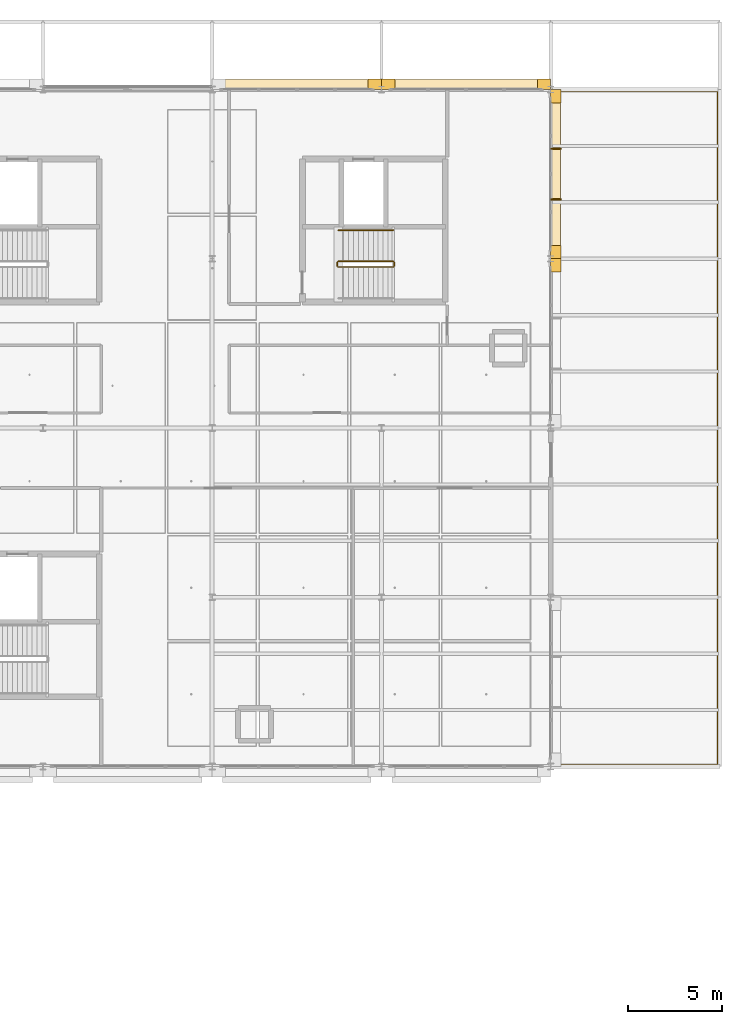
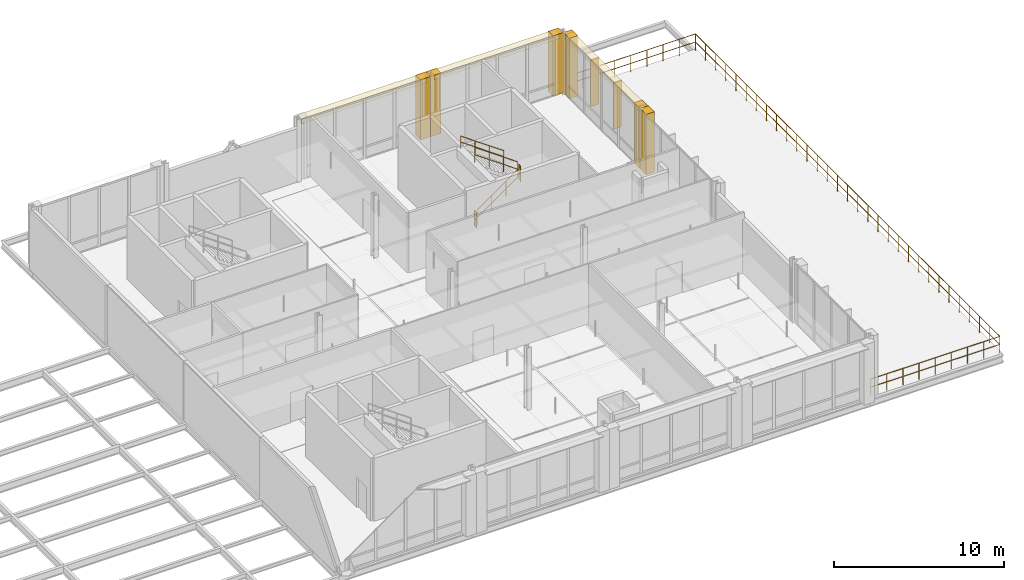
# One storey, part 66 of 66: 9 coverings, 6 railings, 2 shading devices.
"""IFC4 building model written with IfcOpenShell, lengths in metres."""

from ifc_helpers import new_model, si_unit, direction, frame, origin, origin_2d, place, context, subcontext, project, spatial, rectangle, circle, extrude, material, layer, layer_set, type_object, element, save


model = new_model("IFC4")

# Units and contexts
model_context = context("Model", 3, precision=1e-05, world=origin(), true_north=direction((0.0, 1.0)))
body_context = subcontext(model_context, "Body", "Model", "MODEL_VIEW")
ifc_project = project(units=[si_unit("LENGTHUNIT", "METRE"), si_unit("AREAUNIT", "SQUARE_METRE"), si_unit("VOLUMEUNIT", "CUBIC_METRE"), si_unit("PLANEANGLEUNIT", "RADIAN"), si_unit("MASSUNIT", "GRAM", prefix="KILO"), si_unit("THERMODYNAMICTEMPERATUREUNIT", "KELVIN"), si_unit("POWERUNIT", "WATT")], contexts=[model_context])

# Site, building, storey
site_placement = place(None, origin())
site = spatial("IfcSite", under=ifc_project, at=site_placement, CompositionType="ELEMENT")
building_placement = place(site_placement, origin())
building = spatial("IfcBuilding", under=site, at=building_placement, Name="Tallowbark Science Centre", CompositionType="ELEMENT")
storey_placement = place(building_placement, frame((0.0, 0.0, 18.89990234375)))
storey = spatial("IfcBuildingStorey", under=building, at=storey_placement, Name="L04", CompositionType="ELEMENT", Elevation=18.89990234375)

# Coverings
ifc_material_1 = material(Name="White Architectural Precast Concrete Grade N40 (40 MPa)", Category="concrete")
ifc_layer_1 = layer(ifc_material_1, 0.1201171875)
ifc_layer_set_1 = layer_set([ifc_layer_1], Name="White Architectural Precast Concrete Grade N40 (40 MPa)")
covering_type_1 = type_object("IfcCoveringType", Name="COV-PRC-CLAD", PredefinedType="CLADDING", material=ifc_layer_set_1)
for number, where, z_axis, x_axis, name in (
    (1, (139.14501953125, 108.280029296875, 0.0), (0.0, 0.0, 1.0), (-1.0, 0.0, 0.0), "Postmodern Deep Precast Pier CW-L04-194-1"),
    (2, (148.14501953125, 108.280029296875, 0.0), (0.0, 0.0, 1.0), (-1.0, 0.0, 0.0), "Postmodern Deep Precast Pier CW-L04-196-1"),
    (3, (139.85498046875, 108.280029296875, 0.0), (0.0, 0.0, 1.0), (-1.0, 0.0, 0.0), "Postmodern Deep Precast Pier CW-L04-196-2"),
    (4, (148.780029296875, 98.64501953125, 0.0), (0.0, 0.0, 1.0), (0.0, 1.0, 0.0), "Postmodern Deep Precast Pier CW-L04-198-2"),
    (5, (148.780029296875, 99.35498046875, 0.0), (0.0, 0.0, 1.0), (0.0, 1.0, 0.0), "Postmodern Deep Precast Pier CW-L04-199-1"),
    (6, (148.780029296875, 107.64501953125, 0.0), (0.0, 0.0, 1.0), (0.0, 1.0, 0.0), "Postmodern Deep Precast Pier CW-L04-199-2"),
):
    element("IfcCovering", number, at=place(storey_placement, frame(where, z_axis=z_axis, x_axis=x_axis)), inside=storey, type_object=covering_type_1, Name=name, PredefinedType="CLADDING", context=body_context, shape_type="SweptSolid", body=[
        extrude(rectangle(XDim=0.7099609375, YDim=0.56005859375, at=origin_2d()), origin(), (0.0, 0.0, 1.0), 4.320068359375),
    ])
ifc_material_2 = material(Name="Vitrified Ochre Terracotta Architectural Rainscreen", Category="masonry")
ifc_layer_2 = layer(ifc_material_2, 0.0380859375)
ifc_layer_set_2 = layer_set([ifc_layer_2], Name="Vitrified Ochre Terracotta Architectural Rainscreen")
covering_type_2 = type_object("IfcCoveringType", Name="COV-TER-CLAD", PredefinedType="CLADDING", material=ifc_layer_set_2)
for number, where, z_axis, x_axis, name in (
    (7, (135.0, 108.260009765625, 3.97021484375), (0.0, 0.0, 1.0), (-1.0, 0.0, 0.0), "Postmodern Terracotta Cornice Band CW-L04-194"),
    (8, (144.0, 108.260009765625, 3.97021484375), (0.0, 0.0, 1.0), (-1.0, 0.0, 0.0), "Postmodern Terracotta Cornice Band CW-L04-196"),
    (9, (148.760009765625, 103.5, 3.97021484375), (0.0, 0.0, 1.0), (0.0, 1.0, 0.0), "Postmodern Terracotta Cornice Band CW-L04-199"),
):
    element("IfcCovering", number, at=place(storey_placement, frame(where, z_axis=z_axis, x_axis=x_axis)), inside=storey, type_object=covering_type_2, Name=name, PredefinedType="CLADDING", context=body_context, shape_type="SweptSolid", body=[
        extrude(rectangle(XDim=8.5, YDim=0.52001953125, at=origin_2d()), origin(), (0.0, 0.0, 1.0), 0.340087890625),
    ])

# Railings
ifc_material_3 = material(Name="Galvanised Painted Steel and Laminated Glass Balustrade", Category="steel")
ifc_layer_3 = layer(ifc_material_3, 0.070068359375)
ifc_layer_set_3 = layer_set([ifc_layer_3], Name="Galvanised Painted Steel and Laminated Glass Balustrade")
railing_type_1 = type_object("IfcRailingType", Name="RLG-BAL-1150", PredefinedType="BALUSTRADE", material=ifc_layer_set_3)
railing_1_placement = place(storey_placement, frame((137.2099609375, 98.56005859375, 0.1875)))
element("IfcRailing", 10, at=railing_1_placement, inside=storey, type_object=railing_type_1, Name="L04 ST-04 stair guard 1", PredefinedType="BALUSTRADE", context=body_context, shape_type="SweptSolid", body=[
    extrude(circle(Radius=0.02392578125, at=origin_2d()), frame((0.0, 0.0, 1.076171875), z_axis=(0.816330724661, 0.0, 0.577584753931), x_axis=(0.0, 1.0, 0.0)), (0.0, 0.0, 1.0), 3.57080078125),
    extrude(circle(Radius=0.02392578125, at=origin_2d()), frame((0.0, 0.0, 0.550048828125), z_axis=(0.816330724661, 0.0, 0.577584753931), x_axis=(0.0, 1.0, 0.0)), (0.0, 0.0, 1.0), 3.57080078125),
    extrude(circle(Radius=0.02099609375, at=origin_2d()), origin(), (0.0, 0.0, 1.0), 1.052001953125),
    extrude(circle(Radius=0.02099609375, at=origin_2d()), frame((0.9716796875, 0.0, 0.6875)), (0.0, 0.0, 1.0), 1.052001953125),
    extrude(circle(Radius=0.02099609375, at=origin_2d()), frame((1.943359375, 0.0, 1.375)), (0.0, 0.0, 1.0), 1.052001953125),
    extrude(circle(Radius=0.02099609375, at=origin_2d()), frame((2.9150390625, 0.0, 2.0625)), (0.0, 0.0, 1.0), 1.052001953125),
])
railing_2_placement = place(storey_placement, frame((140.175048828125, 98.610107421875, 2.25)))
element("IfcRailing", 11, at=railing_2_placement, inside=storey, type_object=railing_type_1, Name="L04 ST-04 stair guard 2", PredefinedType="BALUSTRADE", context=body_context, shape_type="SweptSolid", body=[
    extrude(circle(Radius=0.02392578125, at=origin_2d()), frame((0.0, 0.0, 1.076171875), z_axis=(0.0, 1.0, 0.0), x_axis=(-1.0, 0.0, 0.0)), (0.0, 0.0, 1.0), 0.199951171875),
    extrude(circle(Radius=0.02392578125, at=origin_2d()), frame((0.0, 0.0, 0.550048828125), z_axis=(0.0, 1.0, 0.0), x_axis=(-1.0, 0.0, 0.0)), (0.0, 0.0, 1.0), 0.199951171875),
    extrude(circle(Radius=0.02099609375, at=origin_2d()), origin(), (0.0, 0.0, 1.0), 1.052001953125),
    extrude(circle(Radius=0.02099609375, at=origin_2d()), frame((0.0, 0.199951171875, 0.0)), (0.0, 0.0, 1.0), 1.052001953125),
])
railing_3_placement = place(storey_placement, frame((140.125, 98.860107421875, 2.4375)))
element("IfcRailing", 12, at=railing_3_placement, inside=storey, type_object=railing_type_1, Name="L04 ST-04 stair guard 3", PredefinedType="BALUSTRADE", context=body_context, shape_type="SweptSolid", body=[
    extrude(circle(Radius=0.02392578125, at=origin_2d()), frame((0.0, 0.0, 1.076171875), z_axis=(-0.816330724661, 0.0, 0.577584753931), x_axis=(0.0, -1.0, 0.0)), (0.0, 0.0, 1.0), 3.57080078125),
    extrude(circle(Radius=0.02392578125, at=origin_2d()), frame((0.0, 0.0, 0.550048828125), z_axis=(-0.816330724661, 0.0, 0.577584753931), x_axis=(0.0, -1.0, 0.0)), (0.0, 0.0, 1.0), 3.57080078125),
    extrude(circle(Radius=0.02099609375, at=origin_2d()), origin(), (0.0, 0.0, 1.0), 1.052001953125),
    extrude(circle(Radius=0.02099609375, at=origin_2d()), frame((-0.9716796875, 0.0, 0.6875)), (0.0, 0.0, 1.0), 1.052001953125),
    extrude(circle(Radius=0.02099609375, at=origin_2d()), frame((-1.943359375, 0.0, 1.375)), (0.0, 0.0, 1.0), 1.052001953125),
    extrude(circle(Radius=0.02099609375, at=origin_2d()), frame((-2.9150390625, 0.0, 2.0625)), (0.0, 0.0, 1.0), 1.052001953125),
])
railing_4_placement = place(storey_placement, frame((137.159912109375, 98.610107421875, 0.0)))
element("IfcRailing", 13, at=railing_4_placement, inside=storey, type_object=railing_type_1, Name="L04 ST-04 stair guard 4", PredefinedType="BALUSTRADE", context=body_context, shape_type="SweptSolid", body=[
    extrude(circle(Radius=0.02392578125, at=origin_2d()), frame((0.0, 0.0, 1.076171875), z_axis=(0.0, 1.0, 0.0), x_axis=(-1.0, 0.0, 0.0)), (0.0, 0.0, 1.0), 0.199951171875),
    extrude(circle(Radius=0.02392578125, at=origin_2d()), frame((0.0, 0.0, 0.550048828125), z_axis=(0.0, 1.0, 0.0), x_axis=(-1.0, 0.0, 0.0)), (0.0, 0.0, 1.0), 0.199951171875),
    extrude(circle(Radius=0.02099609375, at=origin_2d()), origin(), (0.0, 0.0, 1.0), 1.052001953125),
    extrude(circle(Radius=0.02099609375, at=origin_2d()), frame((0.0, 0.199951171875, 0.0)), (0.0, 0.0, 1.0), 1.052001953125),
])
ifc_material_4 = material(Name="Brushed Grade 316 Stainless Steel Handrail", Category="steel")
ifc_layer_4 = layer(ifc_material_4, 0.050048828125)
ifc_layer_set_4 = layer_set([ifc_layer_4], Name="Brushed Grade 316 Stainless Steel Handrail")
railing_type_2 = type_object("IfcRailingType", Name="RLG-HDR-950", PredefinedType="HANDRAIL", material=ifc_layer_set_4)
railing_5_placement = place(storey_placement, frame((140.125, 100.52001953125, 2.4375)))
element("IfcRailing", 14, at=railing_5_placement, inside=storey, type_object=railing_type_2, Name="L04 ST-04 stair handrail 2", PredefinedType="HANDRAIL", context=body_context, shape_type="SweptSolid", body=[
    extrude(circle(Radius=0.02392578125, at=origin_2d()), frame((0.0, 0.0, 0.8759765625), z_axis=(-0.816330724661, 0.0, 0.577584753931), x_axis=(0.0, -1.0, 0.0)), (0.0, 0.0, 1.0), 3.57080078125),
    extrude(circle(Radius=0.02392578125, at=origin_2d()), frame((0.0, 0.0, 0.449951171875), z_axis=(-0.816330724661, 0.0, 0.577584753931), x_axis=(0.0, -1.0, 0.0)), (0.0, 0.0, 1.0), 3.57080078125),
    extrude(circle(Radius=0.02099609375, at=origin_2d()), origin(), (0.0, 0.0, 1.0), 0.851806640625),
    extrude(circle(Radius=0.02099609375, at=origin_2d()), frame((-0.9716796875, 0.0, 0.6875)), (0.0, 0.0, 1.0), 0.851806640625),
    extrude(circle(Radius=0.02099609375, at=origin_2d()), frame((-1.943359375, 0.0, 1.375)), (0.0, 0.0, 1.0), 0.851806640625),
    extrude(circle(Radius=0.02099609375, at=origin_2d()), frame((-2.9150390625, 0.0, 2.0625)), (0.0, 0.0, 1.0), 0.851806640625),
])
ifc_material_5 = material(Name="Architectural Steel Post-and-Rail Terrace Guard", Category="steel")
ifc_layer_5 = layer(ifc_material_5, 0.080078125)
ifc_layer_set_5 = layer_set([ifc_layer_5], Name="Architectural Steel Post-and-Rail Terrace Guard")
railing_type_3 = type_object("IfcRailingType", Name="RLG-TER-1200", PredefinedType="GUARDRAIL", material=ifc_layer_set_5)
railing_6_placement = place(storey_placement, frame((148.6201171875, 72.1201171875, 0.0)))
element("IfcRailing", 15, at=railing_6_placement, inside=storey, type_object=railing_type_3, Name="Guardrail GD-ORG-L04", PredefinedType="GUARDRAIL", context=body_context, shape_type="SweptSolid", body=[
    extrude(circle(Radius=0.02392578125, at=origin_2d()), frame((0.0, 0.0, 1.17578125), z_axis=(1.0, 0.0, 0.0), x_axis=(0.0, 1.0, 0.0)), (0.0, 0.0, 1.0), 8.759765625),
    extrude(circle(Radius=0.02392578125, at=origin_2d()), frame((0.0, 0.0, 0.60009765625), z_axis=(1.0, 0.0, 0.0), x_axis=(0.0, 1.0, 0.0)), (0.0, 0.0, 1.0), 8.759765625),
    extrude(circle(Radius=0.02392578125, at=origin_2d()), frame((8.759765625, 0.0, 1.17578125), z_axis=(0.0, 1.0, 0.0), x_axis=(-1.0, 0.0, 0.0)), (0.0, 0.0, 1.0), 35.759765625),
    extrude(circle(Radius=0.02392578125, at=origin_2d()), frame((8.759765625, 0.0, 0.60009765625), z_axis=(0.0, 1.0, 0.0), x_axis=(-1.0, 0.0, 0.0)), (0.0, 0.0, 1.0), 35.759765625),
    extrude(circle(Radius=0.02392578125, at=origin_2d()), frame((8.759765625, 35.759765625, 1.17578125), z_axis=(-1.0, 0.0, 0.0), x_axis=(0.0, -1.0, 0.0)), (0.0, 0.0, 1.0), 8.759765625),
    extrude(circle(Radius=0.02392578125, at=origin_2d()), frame((8.759765625, 35.759765625, 0.60009765625), z_axis=(-1.0, 0.0, 0.0), x_axis=(0.0, -1.0, 0.0)), (0.0, 0.0, 1.0), 8.759765625),
    extrude(circle(Radius=0.02099609375, at=origin_2d()), origin(), (0.0, 0.0, 1.0), 1.15185546875),
    extrude(circle(Radius=0.02099609375, at=origin_2d()), frame((1.094970703125, 0.0, 0.0)), (0.0, 0.0, 1.0), 1.15185546875),
    extrude(circle(Radius=0.02099609375, at=origin_2d()), frame((2.18994140625, 0.0, 0.0)), (0.0, 0.0, 1.0), 1.15185546875),
    extrude(circle(Radius=0.02099609375, at=origin_2d()), frame((3.284912109375, 0.0, 0.0)), (0.0, 0.0, 1.0), 1.15185546875),
    extrude(circle(Radius=0.02099609375, at=origin_2d()), frame((4.3798828125, 0.0, 0.0)), (0.0, 0.0, 1.0), 1.15185546875),
    extrude(circle(Radius=0.02099609375, at=origin_2d()), frame((5.474853515625, 0.0, 0.0)), (0.0, 0.0, 1.0), 1.15185546875),
    extrude(circle(Radius=0.02099609375, at=origin_2d()), frame((6.56982421875, 0.0, 0.0)), (0.0, 0.0, 1.0), 1.15185546875),
    extrude(circle(Radius=0.02099609375, at=origin_2d()), frame((7.664794921875, 0.0, 0.0)), (0.0, 0.0, 1.0), 1.15185546875),
    extrude(circle(Radius=0.02099609375, at=origin_2d()), frame((8.759765625, 0.0, 0.0)), (0.0, 0.0, 1.0), 1.15185546875),
    extrude(circle(Radius=0.02099609375, at=origin_2d()), frame((8.759765625, 1.19189453125, 0.0)), (0.0, 0.0, 1.0), 1.15185546875),
    extrude(circle(Radius=0.02099609375, at=origin_2d()), frame((8.759765625, 2.384033203125, 0.0)), (0.0, 0.0, 1.0), 1.15185546875),
    extrude(circle(Radius=0.02099609375, at=origin_2d()), frame((8.759765625, 3.575927734375, 0.0)), (0.0, 0.0, 1.0), 1.15185546875),
    extrude(circle(Radius=0.02099609375, at=origin_2d()), frame((8.759765625, 4.76806640625, 0.0)), (0.0, 0.0, 1.0), 1.15185546875),
    extrude(circle(Radius=0.02099609375, at=origin_2d()), frame((8.759765625, 5.9599609375, 0.0)), (0.0, 0.0, 1.0), 1.15185546875),
    extrude(circle(Radius=0.02099609375, at=origin_2d()), frame((8.759765625, 7.15185546875, 0.0)), (0.0, 0.0, 1.0), 1.15185546875),
    extrude(circle(Radius=0.02099609375, at=origin_2d()), frame((8.759765625, 8.343994140625, 0.0)), (0.0, 0.0, 1.0), 1.15185546875),
    extrude(circle(Radius=0.02099609375, at=origin_2d()), frame((8.759765625, 9.535888671875, 0.0)), (0.0, 0.0, 1.0), 1.15185546875),
    extrude(circle(Radius=0.02099609375, at=origin_2d()), frame((8.759765625, 10.72802734375, 0.0)), (0.0, 0.0, 1.0), 1.15185546875),
    extrude(circle(Radius=0.02099609375, at=origin_2d()), frame((8.759765625, 11.919921875, 0.0)), (0.0, 0.0, 1.0), 1.15185546875),
    extrude(circle(Radius=0.02099609375, at=origin_2d()), frame((8.759765625, 13.11181640625, 0.0)), (0.0, 0.0, 1.0), 1.15185546875),
    extrude(circle(Radius=0.02099609375, at=origin_2d()), frame((8.759765625, 14.303955078125, 0.0)), (0.0, 0.0, 1.0), 1.15185546875),
    extrude(circle(Radius=0.02099609375, at=origin_2d()), frame((8.759765625, 15.495849609375, 0.0)), (0.0, 0.0, 1.0), 1.15185546875),
    extrude(circle(Radius=0.02099609375, at=origin_2d()), frame((8.759765625, 16.68798828125, 0.0)), (0.0, 0.0, 1.0), 1.15185546875),
    extrude(circle(Radius=0.02099609375, at=origin_2d()), frame((8.759765625, 17.8798828125, 0.0)), (0.0, 0.0, 1.0), 1.15185546875),
    extrude(circle(Radius=0.02099609375, at=origin_2d()), frame((8.759765625, 19.07177734375, 0.0)), (0.0, 0.0, 1.0), 1.15185546875),
    extrude(circle(Radius=0.02099609375, at=origin_2d()), frame((8.759765625, 20.263916015625, 0.0)), (0.0, 0.0, 1.0), 1.15185546875),
    extrude(circle(Radius=0.02099609375, at=origin_2d()), frame((8.759765625, 21.455810546875, 0.0)), (0.0, 0.0, 1.0), 1.15185546875),
    extrude(circle(Radius=0.02099609375, at=origin_2d()), frame((8.759765625, 22.64794921875, 0.0)), (0.0, 0.0, 1.0), 1.15185546875),
    extrude(circle(Radius=0.02099609375, at=origin_2d()), frame((8.759765625, 23.83984375, 0.0)), (0.0, 0.0, 1.0), 1.15185546875),
    extrude(circle(Radius=0.02099609375, at=origin_2d()), frame((8.759765625, 25.03173828125, 0.0)), (0.0, 0.0, 1.0), 1.15185546875),
    extrude(circle(Radius=0.02099609375, at=origin_2d()), frame((8.759765625, 26.223876953125, 0.0)), (0.0, 0.0, 1.0), 1.15185546875),
    extrude(circle(Radius=0.02099609375, at=origin_2d()), frame((8.759765625, 27.415771484375, 0.0)), (0.0, 0.0, 1.0), 1.15185546875),
    extrude(circle(Radius=0.02099609375, at=origin_2d()), frame((8.759765625, 28.60791015625, 0.0)), (0.0, 0.0, 1.0), 1.15185546875),
    extrude(circle(Radius=0.02099609375, at=origin_2d()), frame((8.759765625, 29.7998046875, 0.0)), (0.0, 0.0, 1.0), 1.15185546875),
    extrude(circle(Radius=0.02099609375, at=origin_2d()), frame((8.759765625, 30.99169921875, 0.0)), (0.0, 0.0, 1.0), 1.15185546875),
    extrude(circle(Radius=0.02099609375, at=origin_2d()), frame((8.759765625, 32.183837890625, 0.0)), (0.0, 0.0, 1.0), 1.15185546875),
    extrude(circle(Radius=0.02099609375, at=origin_2d()), frame((8.759765625, 33.375732421875, 0.0)), (0.0, 0.0, 1.0), 1.15185546875),
    extrude(circle(Radius=0.02099609375, at=origin_2d()), frame((8.759765625, 34.56787109375, 0.0)), (0.0, 0.0, 1.0), 1.15185546875),
    extrude(circle(Radius=0.02099609375, at=origin_2d()), frame((8.759765625, 35.759765625, 0.0)), (0.0, 0.0, 1.0), 1.15185546875),
    extrude(circle(Radius=0.02099609375, at=origin_2d()), frame((7.664794921875, 35.759765625, 0.0)), (0.0, 0.0, 1.0), 1.15185546875),
    extrude(circle(Radius=0.02099609375, at=origin_2d()), frame((6.56982421875, 35.759765625, 0.0)), (0.0, 0.0, 1.0), 1.15185546875),
    extrude(circle(Radius=0.02099609375, at=origin_2d()), frame((5.474853515625, 35.759765625, 0.0)), (0.0, 0.0, 1.0), 1.15185546875),
    extrude(circle(Radius=0.02099609375, at=origin_2d()), frame((4.3798828125, 35.759765625, 0.0)), (0.0, 0.0, 1.0), 1.15185546875),
    extrude(circle(Radius=0.02099609375, at=origin_2d()), frame((3.284912109375, 35.759765625, 0.0)), (0.0, 0.0, 1.0), 1.15185546875),
    extrude(circle(Radius=0.02099609375, at=origin_2d()), frame((2.18994140625, 35.759765625, 0.0)), (0.0, 0.0, 1.0), 1.15185546875),
    extrude(circle(Radius=0.02099609375, at=origin_2d()), frame((1.094970703125, 35.759765625, 0.0)), (0.0, 0.0, 1.0), 1.15185546875),
    extrude(circle(Radius=0.02099609375, at=origin_2d()), frame((0.0, 35.759765625, 0.0)), (0.0, 0.0, 1.0), 1.15185546875),
])

# Shading devices
ifc_material_6 = material(Name="Sandstone-Finished Architectural Aluminium Solar Fin", Category="masonry")
shading_device_type = type_object("IfcShadingDeviceType", Name="SHD-FIN-400", PredefinedType="JALOUSIE", material=ifc_material_6)
for number, where, z_axis, x_axis, name in (
    (16, (148.780029296875, 102.14990234375, 0.92529296875), (0.0, 0.0, 1.0), (0.0, 1.0, 0.0), "Vertical Solar Fin CW-L04-199-1"),
    (17, (148.780029296875, 104.85009765625, 0.92529296875), (0.0, 0.0, 1.0), (0.0, 1.0, 0.0), "Vertical Solar Fin CW-L04-199-2"),
):
    element("IfcShadingDevice", number, at=place(storey_placement, frame(where, z_axis=z_axis, x_axis=x_axis)), inside=storey, type_object=shading_device_type, Name=name, PredefinedType="JALOUSIE", context=body_context, shape_type="SweptSolid", body=[
        extrude(rectangle(XDim=0.074951171875, YDim=0.550048828125, at=origin_2d()), origin(), (0.0, 0.0, 1.0), 3.320068359375),
    ])

save(model, "model.ifc")
